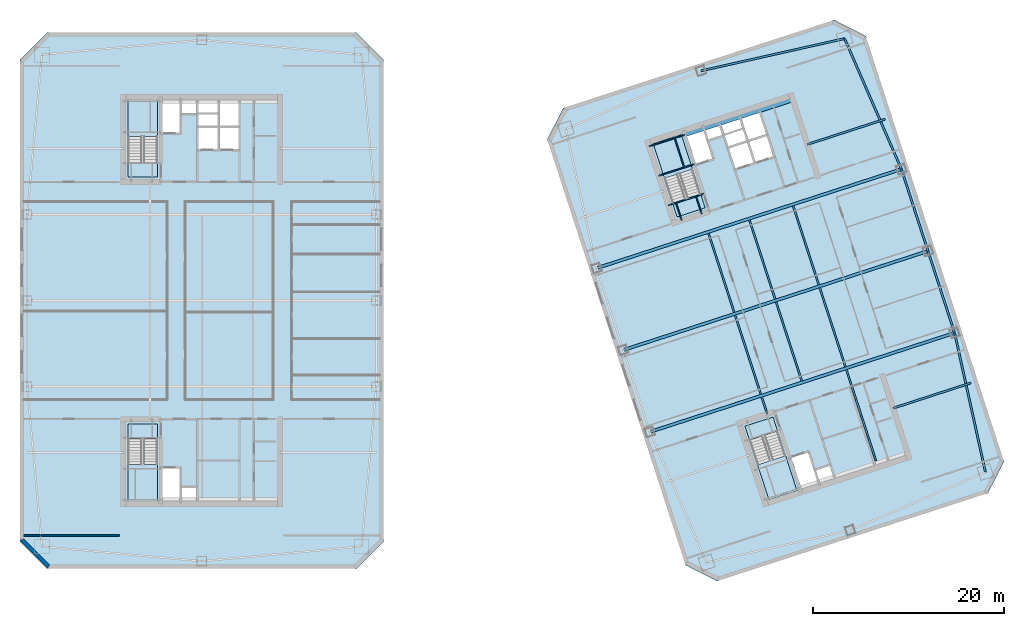
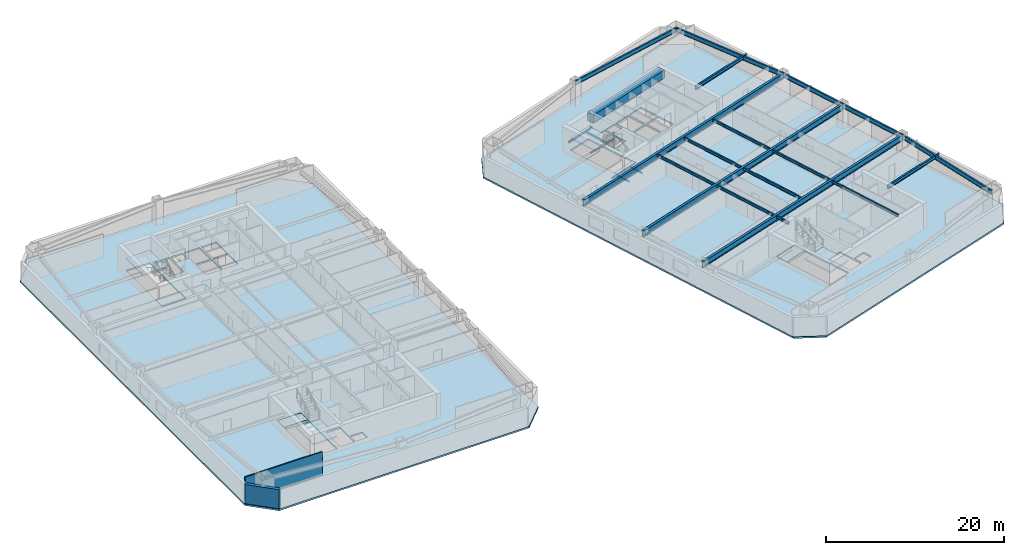
# One storey, part 2 of 10: 25 beams, 10 slabs, 2 walls, 4 elements without a shape of their own.
"""IFC4 building model written with IfcOpenShell, lengths in metres."""

from ifc_helpers import new_model, si_unit, direction, frame, frame_2d, origin, origin_2d, place, context, subcontext, project, spatial, polyline, rectangle, i_section, outline, extrude, material, layer, layer_set, material_profile, profile_set, type_object, element, aggregate, save


model = new_model("IFC4")

# Units and contexts
model_context = context("Model", 3, precision=1e-05, world=origin(), true_north=direction((0.0, 1.0)))
body_context = subcontext(model_context, "Body", "Model", "MODEL_VIEW")
ifc_project = project(units=[si_unit("LENGTHUNIT", "METRE"), si_unit("AREAUNIT", "SQUARE_METRE"), si_unit("VOLUMEUNIT", "CUBIC_METRE"), si_unit("PLANEANGLEUNIT", "RADIAN"), si_unit("MASSUNIT", "GRAM", prefix="KILO")], contexts=[model_context])

# Site, building, storey
site_placement = place(None, origin())
site = spatial("IfcSite", under=ifc_project, at=site_placement, CompositionType="ELEMENT")
building_placement = place(site_placement, origin())
building = spatial("IfcBuilding", under=site, at=building_placement, Name="Qiaolan Cultural Towers", CompositionType="ELEMENT")
storey_placement = place(building_placement, frame((0.0, 0.0, 127.64990234375)))
storey = spatial("IfcBuildingStorey", under=building, at=storey_placement, Name="L33", CompositionType="ELEMENT", Elevation=127.64990234375)

# Beams
ifc_material_1 = material(Name="Steel Q355B", Category="steel")
ifc_material_profile_1 = material_profile(ifc_material_1, i_section(OverallWidth=0.300048828125, OverallDepth=0.800048828125, WebThickness=0.013916015625, FlangeThickness=0.02587890625, at=origin_2d()), Name="HN800x300x14x26")
ifc_profile_set_1 = profile_set([ifc_material_profile_1], Name="Steel Q355B")
beam_type_1 = type_object("IfcBeamType", Name="BM-HN800x300x14x26", PredefinedType="BEAM", material=ifc_profile_set_1)
for number, where, z_axis, x_axis, name in (
    (1, (76.85107421875, 20.264404296875, 2.7900390625), (0.951056559899, 0.309016860175, 0.0), (-0.309016860175, 0.951056559899, 0.0), "L33 T2 Primary Transverse Girder V1"),
    (2, (74.06982421875, 28.823974609375, 2.7900390625), (0.951056559899, 0.309016860175, 0.0), (-0.309016860175, 0.951056559899, 0.0), "L33 T2 Primary Transverse Girder V2"),
    (3, (71.28857421875, 37.383544921875, 2.7900390625), (0.951056559899, 0.309016860175, 0.0), (-0.309016860175, 0.951056559899, 0.0), "L33 T2 Primary Transverse Girder V3"),
):
    element("IfcBeam", number, at=place(storey_placement, frame(where, z_axis=z_axis, x_axis=x_axis)), inside=storey, type_object=beam_type_1, Name=name, PredefinedType="BEAM", context=body_context, shape_type="SweptSolid", body=[
        extrude(i_section(OverallWidth=0.300048828125, OverallDepth=0.800048828125, WebThickness=0.013916015625, FlangeThickness=0.02587890625, at=origin_2d()), origin(), (0.0, 0.0, 1.0), 33.5),
    ])
ifc_material_2 = material(Name="Steel Q355B", Category="steel")
ifc_material_profile_2 = material_profile(ifc_material_2, i_section(OverallWidth=0.175048828125, OverallDepth=0.35009765625, WebThickness=0.007080078125, FlangeThickness=0.010986328125, at=origin_2d()), Name="HN350x175x7x11")
ifc_profile_set_2 = profile_set([ifc_material_profile_2], Name="Steel Q355B")
beam_type_2 = type_object("IfcBeamType", Name="BM-JST-HN350x175x7x11", PredefinedType="JOIST", material=ifc_profile_set_2)
beam_1_placement = place(storey_placement, frame((89.119384765625, 22.147705078125, 3.01513671875), z_axis=(-0.308933885266, 0.951083516067, 0.0), x_axis=(-0.951083516067, -0.308933885266, 0.0)))
element("IfcBeam", 4, at=beam_1_placement, inside=storey, type_object=beam_type_2, Name="L33 T2 Secondary Floor Joist U1-1", PredefinedType="JOIST", context=body_context, shape_type="SweptSolid", body=[
    extrude(i_section(OverallWidth=0.175048828125, OverallDepth=0.35009765625, WebThickness=0.007080078125, FlangeThickness=0.010986328125, at=origin_2d()), origin(), (0.0, 0.0, 1.0), 1.85009765625),
])
for number, where, z_axis, x_axis, name in (
    (5, (88.455078125, 24.192626953125, 3.01513671875), (-0.309020714809, 0.951055307445, 0.0), (-0.951055307445, -0.309020714809, 0.0), "L33 T2 Secondary Floor Joist U1-2"),
    (6, (85.673828125, 32.752197265625, 3.01513671875), (-0.309020714809, 0.951055307445, 0.0), (-0.951055307445, -0.309020714809, 0.0), "L33 T2 Secondary Floor Joist U1-3"),
    (7, (92.73486328125, 25.583251953125, 3.01513671875), (-0.309020714809, 0.951055307445, 0.0), (-0.951055307445, -0.309020714809, 0.0), "L33 T2 Secondary Floor Joist U2-2"),
    (8, (89.95361328125, 34.142578125, 3.01513671875), (-0.309020714809, 0.951055307445, 0.0), (-0.951055307445, -0.309020714809, 0.0), "L33 T2 Secondary Floor Joist U2-3"),
):
    element("IfcBeam", number, at=place(storey_placement, frame(where, z_axis=z_axis, x_axis=x_axis)), inside=storey, type_object=beam_type_2, Name=name, PredefinedType="JOIST", context=body_context, shape_type="SweptSolid", body=[
        extrude(i_section(OverallWidth=0.175048828125, OverallDepth=0.35009765625, WebThickness=0.007080078125, FlangeThickness=0.010986328125, at=origin_2d()), origin(), (0.0, 0.0, 1.0), 8.699951171875),
    ])
beam_2_placement = place(storey_placement, frame((100.498291015625, 17.222900390625, 3.01513671875), z_axis=(-0.309025649293, 0.951053704098, 0.0), x_axis=(-0.951053704098, -0.309025649293, 0.0)))
element("IfcBeam", 9, at=beam_2_placement, inside=storey, type_object=beam_type_2, Name="L33 T2 Secondary Floor Joist U3-1", PredefinedType="JOIST", context=body_context, shape_type="SweptSolid", body=[
    extrude(i_section(OverallWidth=0.175048828125, OverallDepth=0.35009765625, WebThickness=0.007080078125, FlangeThickness=0.010986328125, at=origin_2d()), origin(), (0.0, 0.0, 1.0), 10.050048828125),
])
for number, where, z_axis, x_axis, name in (
    (10, (97.2998046875, 27.06640625, 3.01513671875), (-0.309020714809, 0.951055307445, 0.0), (-0.951055307445, -0.309020714809, 0.0), "L33 T2 Secondary Floor Joist U3-2"),
    (11, (94.518798828125, 35.6259765625, 3.01513671875), (-0.309020714809, 0.951055307445, 0.0), (-0.951055307445, -0.309020714809, 0.0), "L33 T2 Secondary Floor Joist U3-3"),
):
    element("IfcBeam", number, at=place(storey_placement, frame(where, z_axis=z_axis, x_axis=x_axis)), inside=storey, type_object=beam_type_2, Name=name, PredefinedType="JOIST", context=body_context, shape_type="SweptSolid", body=[
        extrude(i_section(OverallWidth=0.175048828125, OverallDepth=0.35009765625, WebThickness=0.007080078125, FlangeThickness=0.010986328125, at=origin_2d()), origin(), (0.0, 0.0, 1.0), 8.699951171875),
    ])
ifc_material_3 = material(Name="Steel Q355B", Category="steel")
ifc_material_profile_3 = material_profile(ifc_material_3, i_section(OverallWidth=0.199951171875, OverallDepth=0.449951171875, WebThickness=0.009033203125, FlangeThickness=0.013916015625, at=origin_2d()), Name="HN450x200x9x14")
ifc_profile_set_3 = profile_set([ifc_material_profile_3], Name="Steel Q355B")
beam_type_3 = type_object("IfcBeamType", Name="BM-LNT-HN450x200x9x14", PredefinedType="LINTEL", material=ifc_profile_set_3)
for number, where, z_axis, x_axis, name in (
    (12, (102.279296875, 22.74365234375, 2.965087890625), (0.951057358187, 0.309014403287, 0.0), (-0.309014403287, 0.951057358187, 0.0), "L33 T2 Core Flank Tie Lintel ES"),
    (13, (93.31787109375, 50.32421875, 2.965087890625), (0.951057358187, 0.309014403287, 0.0), (-0.309014403287, 0.951057358187, 0.0), "L33 T2 Core Flank Tie Lintel EN"),
):
    element("IfcBeam", number, at=place(storey_placement, frame(where, z_axis=z_axis, x_axis=x_axis)), inside=storey, type_object=beam_type_3, Name=name, PredefinedType="LINTEL", context=body_context, shape_type="SweptSolid", body=[
        extrude(i_section(OverallWidth=0.199951171875, OverallDepth=0.449951171875, WebThickness=0.009033203125, FlangeThickness=0.013916015625, at=origin_2d()), origin(), (0.0, 0.0, 1.0), 8.550048828125),
    ])
ifc_material_4 = material(Name="Concrete C50", Category="concrete")
ifc_material_profile_4 = material_profile(ifc_material_4, rectangle(XDim=0.89990234375, YDim=1.10009765625, at=origin_2d()), Name="RC900x1100")
ifc_profile_set_4 = profile_set([ifc_material_profile_4], Name="Concrete C50")
beam_type_4 = type_object("IfcBeamType", Name="BM-RC900x1100", PredefinedType="BEAM", material=ifc_profile_set_4)
beam_3_placement = place(storey_placement, frame((80.427978515625, 51.551025390625, 2.64013671875), z_axis=(0.951056266386, 0.309017763514, 0.0), x_axis=(-0.309017763514, 0.951056266386, 0.0)))
element("IfcBeam", 14, at=beam_3_placement, inside=storey, type_object=beam_type_4, Name="L33 T2 Core Header Girder N", PredefinedType="BEAM", context=body_context, shape_type="SweptSolid", body=[
    extrude(rectangle(XDim=0.89990234375, YDim=1.10009765625, at=origin_2d()), origin(), (0.0, 0.0, 1.0), 11.880126953125),
])
ifc_material_5 = material(Name="Steel Q355B", Category="steel")
ifc_material_profile_5 = material_profile(ifc_material_5, i_section(OverallWidth=0.199951171875, OverallDepth=0.60009765625, WebThickness=0.010986328125, FlangeThickness=0.01708984375, at=origin_2d()), Name="HN600x200x11x17")
ifc_profile_set_5 = profile_set([ifc_material_profile_5], Name="Steel Q355B")
beam_type_5 = type_object("IfcBeamType", Name="BM-SPD-HN600x200x11x17", PredefinedType="SPANDREL", material=ifc_profile_set_5)
beam_4_placement = place(storey_placement, frame((111.930908203125, 16.080078125, 2.89013671875), z_axis=(-0.216237644833, 0.976340760676, 0.0), x_axis=(-0.976340760676, -0.216237644833, 0.0)))
element("IfcBeam", 15, at=beam_4_placement, inside=storey, type_object=beam_type_5, Name="L33 T2 Perimeter Spandrel Beam 3", PredefinedType="SPANDREL", context=body_context, shape_type="SweptSolid", body=[
    extrude(i_section(OverallWidth=0.199951171875, OverallDepth=0.60009765625, WebThickness=0.010986328125, FlangeThickness=0.01708984375, at=origin_2d()), origin(), (0.0, 0.0, 1.0), 14.888671875),
])
for number, where, z_axis, x_axis, name in (
    (16, (108.71142578125, 30.616455078125, 2.89013671875), (-0.309024734286, 0.951054001411, 0.0), (-0.951054001411, -0.309024734286, 0.0), "L33 T2 Perimeter Spandrel Beam 4"),
    (17, (105.93017578125, 39.176025390625, 2.89013671875), (-0.309024734286, 0.951054001411, 0.0), (-0.951054001411, -0.309024734286, 0.0), "L33 T2 Perimeter Spandrel Beam 5"),
):
    element("IfcBeam", number, at=place(storey_placement, frame(where, z_axis=z_axis, x_axis=x_axis)), inside=storey, type_object=beam_type_5, Name=name, PredefinedType="SPANDREL", context=body_context, shape_type="SweptSolid", body=[
        extrude(i_section(OverallWidth=0.199951171875, OverallDepth=0.60009765625, WebThickness=0.010986328125, FlangeThickness=0.01708984375, at=origin_2d()), origin(), (0.0, 0.0, 1.0), 9.0),
    ])
beam_5_placement = place(storey_placement, frame((103.14892578125, 47.735595703125, 2.89013671875), z_axis=(-0.398920370799, 0.916985571185, 0.0), x_axis=(-0.916985571185, -0.398920370799, 0.0)))
element("IfcBeam", 18, at=beam_5_placement, inside=storey, type_object=beam_type_5, Name="L33 T2 Perimeter Spandrel Beam 6", PredefinedType="SPANDREL", context=body_context, shape_type="SweptSolid", body=[
    extrude(i_section(OverallWidth=0.199951171875, OverallDepth=0.60009765625, WebThickness=0.010986328125, FlangeThickness=0.01708984375, at=origin_2d()), origin(), (0.0, 0.0, 1.0), 14.888916015625),
])
beam_6_placement = place(storey_placement, frame((97.20947265625, 61.388427734375, 2.89013671875), z_axis=(-0.975658154374, -0.219296980836, 0.0), x_axis=(0.219296980836, -0.975658154374, 0.0)))
element("IfcBeam", 19, at=beam_6_placement, inside=storey, type_object=beam_type_5, Name="L33 T2 Perimeter Spandrel Beam 7", PredefinedType="SPANDREL", context=body_context, shape_type="SweptSolid", body=[
    extrude(i_section(OverallWidth=0.199951171875, OverallDepth=0.60009765625, WebThickness=0.010986328125, FlangeThickness=0.01708984375, at=origin_2d()), origin(), (0.0, 0.0, 1.0), 15.38671875),
])
ifc_material_6 = material(Name="Steel Q355B", Category="steel")
ifc_material_profile_6 = material_profile(ifc_material_6, i_section(OverallWidth=0.10009765625, OverallDepth=0.199951171875, WebThickness=0.005615234375, FlangeThickness=0.008056640625, at=origin_2d()), Name="HN200x100x5.5x8")
ifc_profile_set_6 = profile_set([ifc_material_profile_6], Name="Steel Q355B")
beam_type_6 = type_object("IfcBeamType", Name="BM-STTRIM-200", PredefinedType="BEAM", material=ifc_profile_set_6)
beam_7_placement = place(storey_placement, frame((78.773193359375, 43.958251953125, -0.4599609375), z_axis=(0.951072048947, 0.3089691857, 0.0), x_axis=(-0.3089691857, 0.951072048947, 0.0)))
element("IfcBeam", 20, at=beam_7_placement, inside=storey, type_object=beam_type_6, Name="L33 ST-E2 Floor Landing Header Beam", PredefinedType="BEAM", context=body_context, shape_type="SweptSolid", body=[
    extrude(i_section(OverallWidth=0.10009765625, OverallDepth=0.199951171875, WebThickness=0.005615234375, FlangeThickness=0.008056640625, at=origin_2d()), origin(), (0.0, 0.0, 1.0), 3.920166015625),
])
for number, where, z_axis, x_axis, name in (
    (21, (80.18115234375, 42.375732421875, -0.4599609375), (-0.308969394428, 0.951071981138, 0.0), (-0.951071981138, -0.308969394428, 0.0), "L33 ST-E2 Floor Landing Stringer 1"),
    (22, (82.2734375, 43.0556640625, -0.4599609375), (-0.308969394428, 0.951071981138, 0.0), (-0.951071981138, -0.308969394428, 0.0), "L33 ST-E2 Floor Landing Stringer 2"),
):
    element("IfcBeam", number, at=place(storey_placement, frame(where, z_axis=z_axis, x_axis=x_axis)), inside=storey, type_object=beam_type_6, Name=name, PredefinedType="BEAM", context=body_context, shape_type="SweptSolid", body=[
        extrude(i_section(OverallWidth=0.10009765625, OverallDepth=0.199951171875, WebThickness=0.005615234375, FlangeThickness=0.008056640625, at=origin_2d()), origin(), (0.0, 0.0, 1.0), 1.93994140625),
    ])
for number, where, z_axis, x_axis, name in (
    (23, (77.769287109375, 47.0478515625, 1.425048828125), (0.951053746643, 0.309025518358, 0.0), (-0.309025518358, 0.951053746643, 0.0), "L33 ST-E2 Stair Landing Support Beam 1-1"),
    (24, (76.770751953125, 50.12109375, 1.425048828125), (0.951072048947, 0.3089691857, 0.0), (-0.3089691857, 0.951072048947, 0.0), "L33 ST-E2 Stair Landing Support Beam 1-2"),
):
    element("IfcBeam", number, at=place(storey_placement, frame(where, z_axis=z_axis, x_axis=x_axis)), inside=storey, type_object=beam_type_6, Name=name, PredefinedType="BEAM", context=body_context, shape_type="SweptSolid", body=[
        extrude(i_section(OverallWidth=0.10009765625, OverallDepth=0.199951171875, WebThickness=0.005615234375, FlangeThickness=0.008056640625, at=origin_2d()), origin(), (0.0, 0.0, 1.0), 3.920166015625),
    ])
beam_8_placement = place(storey_placement, frame((80.44189453125, 47.916259765625, 1.425048828125), z_axis=(-0.309033108495, 0.951051280349, 0.0), x_axis=(-0.951051280349, -0.309033108495, 0.0)))
element("IfcBeam", 25, at=beam_8_placement, inside=storey, type_object=beam_type_6, Name="L33 ST-E2 Stair Landing Trimmer 1", PredefinedType="BEAM", context=body_context, shape_type="SweptSolid", body=[
    extrude(i_section(OverallWidth=0.10009765625, OverallDepth=0.199951171875, WebThickness=0.005615234375, FlangeThickness=0.008056640625, at=origin_2d()), origin(), (0.0, 0.0, 1.0), 3.231201171875),
])

# Stair, slab
ifc_material_7 = material(Name="Concrete C45", Category="concrete")
stair_type = type_object("IfcStairType", Name="STR-CORE-1500", PredefinedType="HALF_TURN_STAIR", material=ifc_material_7)
stair_1_placement = place(storey_placement, origin())
stair_1 = element("IfcStair", 26, at=stair_1_placement, inside=storey, type_object=stair_type, Name="L33 Smokeproof Exit Stair ST-W1", PredefinedType="HALF_TURN_STAIR")
ifc_material_8 = material(Name="Concrete C45", Category="concrete")
ifc_layer_1 = layer(ifc_material_8, 0.199951171875)
ifc_layer_set_1 = layer_set([ifc_layer_1], Name="Concrete C45")
slab_type_1 = type_object("IfcSlabType", Name="SL-STAIR-LAND", PredefinedType="LANDING", material=ifc_layer_set_1)
slab_1_placement = place(storey_placement, frame((0.0, 0.0, 1.525146484375)))
slab_1 = element("IfcSlab", 27, at=slab_1_placement, type_object=slab_type_1, Name="ST-W1 landing 1", PredefinedType="LANDING", context=body_context, shape_type="SweptSolid", body=[
    extrude(outline(polyline([(22.300048828125, 16.851318359375), (22.300048828125, 13.0), (25.3798828125, 13.0), (25.3798828125, 16.851318359375), (22.300048828125, 16.851318359375)])), origin(), (0.0, 0.0, 1.0), 0.199951171875),
])
aggregate(stair_1, [slab_1])

stair_2_placement = place(storey_placement, origin())
stair_2 = element("IfcStair", 28, at=stair_2_placement, inside=storey, type_object=stair_type, Name="L33 Smokeproof Exit Stair ST-W2", PredefinedType="HALF_TURN_STAIR")
slab_2_placement = place(storey_placement, frame((0.0, 0.0, 1.525146484375)))
slab_2 = element("IfcSlab", 29, at=slab_2_placement, type_object=slab_type_1, Name="ST-W2 landing 1", PredefinedType="LANDING", context=body_context, shape_type="SweptSolid", body=[
    extrude(outline(polyline([(25.3798828125, 51.148681640625), (25.3798828125, 55.0), (22.300048828125, 55.0), (22.300048828125, 51.148681640625), (25.3798828125, 51.148681640625)])), origin(), (0.0, 0.0, 1.0), 0.199951171875),
])
aggregate(stair_2, [slab_2])

stair_3_placement = place(storey_placement, origin())
stair_3 = element("IfcStair", 30, at=stair_3_placement, inside=storey, type_object=stair_type, Name="L33 Smokeproof Exit Stair ST-E1", PredefinedType="HALF_TURN_STAIR")
slab_3_placement = place(storey_placement, frame((0.0, 0.0, 1.525146484375)))
slab_3 = element("IfcSlab", 31, at=slab_3_placement, type_object=slab_type_1, Name="ST-E1 landing 1", PredefinedType="LANDING", context=body_context, shape_type="SweptSolid", body=[
    extrude(outline(polyline([(88.114013671875, 16.828125), (89.30419921875, 13.165283203125), (92.2333984375, 14.116943359375), (91.04345703125, 17.77978515625), (88.114013671875, 16.828125)])), origin(), (0.0, 0.0, 1.0), 0.199951171875),
])
aggregate(stair_3, [slab_3])

stair_4_placement = place(storey_placement, origin())
stair_4 = element("IfcStair", 32, at=stair_4_placement, inside=storey, type_object=stair_type, Name="L33 Smokeproof Exit Stair ST-E2", PredefinedType="HALF_TURN_STAIR")
slab_4_placement = place(storey_placement, frame((0.0, 0.0, 1.525146484375)))
slab_4 = element("IfcSlab", 33, at=slab_4_placement, type_object=slab_type_1, Name="ST-E2 landing 1", PredefinedType="LANDING", context=body_context, shape_type="SweptSolid", body=[
    extrude(outline(polyline([(81.31005859375, 47.735595703125), (80.1201171875, 51.3984375), (77.190673828125, 50.44677734375), (78.380859375, 46.783935546875), (81.31005859375, 47.735595703125)])), origin(), (0.0, 0.0, 1.0), 0.199951171875),
])
aggregate(stair_4, [slab_4])

# Slabs
ifc_material_9 = material(Name="Concrete C40", Category="concrete")
ifc_layer_2 = layer(ifc_material_9, 0.360107421875)
ifc_layer_set_2 = layer_set([ifc_layer_2], Name="Concrete C40")
slab_type_2 = type_object("IfcSlabType", Name="SL-STFLR-360", PredefinedType="LANDING", material=ifc_layer_set_2)
slab_5_placement = place(storey_placement, frame((0.0, 0.0, -0.35986328125)))
element("IfcSlab", 34, at=slab_5_placement, inside=storey, type_object=slab_type_2, Name="L33 ST-W1 Stair Floor Landing Slab", PredefinedType="LANDING", context=body_context, shape_type="SweptSolid", body=[
    extrude(outline(polyline([(22.302001953125, 21.097900390625), (22.302001953125, 19.548583984375), (25.3779296875, 19.548583984375), (25.3779296875, 21.097900390625), (22.302001953125, 21.097900390625)])), origin(), (0.0, 0.0, 1.0), 0.35986328125),
])
slab_6_placement = place(storey_placement, frame((0.0, 0.0, -0.35986328125)))
element("IfcSlab", 35, at=slab_6_placement, inside=storey, type_object=slab_type_2, Name="L33 ST-W2 Stair Floor Landing Slab", PredefinedType="LANDING", context=body_context, shape_type="SweptSolid", body=[
    extrude(outline(polyline([(25.3779296875, 46.902099609375), (25.3779296875, 48.451416015625), (22.302001953125, 48.451416015625), (22.302001953125, 46.902099609375), (25.3779296875, 46.902099609375)])), origin(), (0.0, 0.0, 1.0), 0.35986328125),
])
slab_7_placement = place(storey_placement, frame((0.0, 0.0, -0.35986328125)))
element("IfcSlab", 36, at=slab_7_placement, inside=storey, type_object=slab_type_2, Name="L33 ST-E1 Stair Floor Landing Slab", PredefinedType="LANDING", context=body_context, shape_type="SweptSolid", body=[
    extrude(outline(polyline([(86.8037109375, 20.867431640625), (87.282470703125, 19.39404296875), (90.2080078125, 20.3447265625), (89.729248046875, 21.818115234375), (86.8037109375, 20.867431640625)])), origin(), (0.0, 0.0, 1.0), 0.35986328125),
])
slab_8_placement = place(storey_placement, frame((0.0, 0.0, -0.35986328125)))
element("IfcSlab", 37, at=slab_8_placement, inside=storey, type_object=slab_type_2, Name="L33 ST-E2 Stair Floor Landing Slab", PredefinedType="LANDING", context=body_context, shape_type="SweptSolid", body=[
    extrude(outline(polyline([(82.62060546875, 43.6962890625), (82.141845703125, 45.169677734375), (79.21630859375, 44.21923828125), (79.695068359375, 42.74560546875), (82.62060546875, 43.6962890625)])), origin(), (0.0, 0.0, 1.0), 0.35986328125),
])
ifc_material_10 = material(Name="Concrete C45", Category="concrete")
ifc_layer_3 = layer(ifc_material_10, 0.219970703125)
ifc_layer_set_3 = layer_set([ifc_layer_3], Name="Concrete C45")
slab_type_3 = type_object("IfcSlabType", Name="SL-TYP-220", PredefinedType="FLOOR", material=ifc_layer_set_3)
slab_9_placement = place(storey_placement, frame((0.0, 0.0, -0.219970703125)))
element("IfcSlab", 38, at=slab_9_placement, inside=storey, type_object=slab_type_3, Name="L33 West Tower Floor Slab", PredefinedType="FLOOR", context=body_context, shape_type="SweptSolid", body=[
    extrude(outline(polyline([(13.800048828125, 6.0), (46.199951171875, 6.0), (49.0, 8.800048828125), (49.0, 59.199951171875), (46.199951171875, 62.0), (13.800048828125, 62.0), (11.0, 59.199951171875), (11.0, 8.800048828125), (13.800048828125, 6.0)]), holes=[polyline([(22.300048828125, 21.10009765625), (22.300048828125, 13.0), (25.3798828125, 13.0), (25.3798828125, 21.10009765625), (22.300048828125, 21.10009765625)]), polyline([(25.3798828125, 46.89990234375), (25.3798828125, 55.0), (22.300048828125, 55.0), (22.300048828125, 46.89990234375), (25.3798828125, 46.89990234375)]), polyline([(25.89990234375, 13.199951171875), (27.75, 13.199951171875), (27.75, 16.449951171875), (25.89990234375, 16.449951171875), (25.89990234375, 13.199951171875)]), polyline([(27.93994140625, 13.25), (29.449951171875, 13.25), (29.449951171875, 14.419921875), (27.93994140625, 14.419921875), (27.93994140625, 13.25)]), polyline([(25.89990234375, 51.550048828125), (27.75, 51.550048828125), (27.75, 54.800048828125), (25.89990234375, 54.800048828125), (25.89990234375, 51.550048828125)]), polyline([(27.93994140625, 53.580078125), (29.449951171875, 53.580078125), (29.449951171875, 54.75), (27.93994140625, 54.75), (27.93994140625, 53.580078125)]), polyline([(29.679931640625, 49.820068359375), (31.679931640625, 49.820068359375), (31.679931640625, 52.080078125), (29.679931640625, 52.080078125), (29.679931640625, 49.820068359375)]), polyline([(31.8798828125, 49.820068359375), (33.820068359375, 49.820068359375), (33.820068359375, 52.080078125), (31.8798828125, 52.080078125), (31.8798828125, 49.820068359375)]), polyline([(29.679931640625, 52.27001953125), (31.659912109375, 52.27001953125), (31.659912109375, 54.75), (29.679931640625, 54.75), (29.679931640625, 52.27001953125)]), polyline([(31.8798828125, 52.27001953125), (33.820068359375, 52.27001953125), (33.820068359375, 54.75), (31.8798828125, 54.75), (31.8798828125, 52.27001953125)])]), origin(), (0.0, 0.0, 1.0), 0.219970703125),
])
slab_10_placement = place(storey_placement, frame((0.0, 0.0, -0.219970703125)))
element("IfcSlab", 39, at=slab_10_placement, inside=storey, type_object=slab_type_3, Name="L33 East Tower Floor Slab", PredefinedType="FLOOR", context=body_context, shape_type="SweptSolid", body=[
    extrude(outline(polyline([(83.86376953125, 4.668212890625), (112.205078125, 13.876953125), (113.87451171875, 17.153076171875), (99.41259765625, 61.66259765625), (96.13623046875, 63.331787109375), (67.794921875, 54.123046875), (66.12548828125, 50.846923828125), (80.58740234375, 6.33740234375), (83.86376953125, 4.668212890625)]), holes=[polyline([(86.80126953125, 20.868896484375), (89.30419921875, 13.165283203125), (92.2333984375, 14.116943359375), (89.73046875, 21.820556640625), (86.80126953125, 20.868896484375)]), polyline([(82.623046875, 43.69482421875), (80.1201171875, 51.3984375), (77.190673828125, 50.44677734375), (79.69384765625, 42.7431640625), (82.623046875, 43.69482421875)]), polyline([(92.666259765625, 14.468017578125), (94.42578125, 15.03955078125), (93.42138671875, 18.130615234375), (91.661865234375, 17.558837890625), (92.666259765625, 14.468017578125)]), polyline([(94.5908203125, 15.14599609375), (96.027099609375, 15.612548828125), (95.66552734375, 16.725341796875), (94.2294921875, 16.258544921875), (94.5908203125, 15.14599609375)]), polyline([(81.6806640625, 48.278076171875), (83.440185546875, 48.849609375), (82.435791015625, 51.940673828125), (80.67626953125, 51.368896484375), (81.6806640625, 48.278076171875)]), polyline([(82.993408203125, 50.839111328125), (84.4296875, 51.3056640625), (84.068115234375, 52.41845703125), (82.632080078125, 51.95166015625), (82.993408203125, 50.839111328125)]), polyline([(85.810302734375, 47.80078125), (87.71240234375, 48.418701171875), (87.013916015625, 50.568115234375), (85.11181640625, 49.9501953125), (85.810302734375, 47.80078125)]), polyline([(87.902587890625, 48.480712890625), (89.74755859375, 49.080078125), (89.04931640625, 51.2294921875), (87.2041015625, 50.6298828125), (87.902587890625, 48.480712890625)]), polyline([(85.05322265625, 50.130859375), (86.936279296875, 50.74267578125), (86.169921875, 53.101318359375), (84.286865234375, 52.489501953125), (85.05322265625, 50.130859375)]), polyline([(87.1455078125, 50.810791015625), (88.990478515625, 51.41015625), (88.22412109375, 53.768798828125), (86.379150390625, 53.169189453125), (87.1455078125, 50.810791015625)])]), origin(), (0.0, 0.0, 1.0), 0.219970703125),
])

# Walls
ifc_material_11 = material(Name="Precast Concrete C50 Honed Stone Pier", Category="masonry")
ifc_layer_4 = layer(ifc_material_11, 0.39990234375)
ifc_layer_set_4 = layer_set([ifc_layer_4], Name="Precast Concrete C50 Honed Stone Pier")
wall_type_1 = type_object("IfcWallType", Name="WL-EXT-PIER-400", PredefinedType="SOLIDWALL", material=ifc_layer_set_4)
wall_1_placement = place(storey_placement, frame((14.0, 6.199951171875, 0.0), z_axis=(0.0, 0.0, 1.0), x_axis=(-0.707106781187, 0.707106781187, 0.0)))
element("IfcWall", 40, at=wall_1_placement, inside=storey, type_object=wall_type_1, Name="L33 West Tower Precast Pier Facade Wall F8", PredefinedType="SOLIDWALL", context=body_context, shape_type="SweptSolid", body=[
    extrude(rectangle(XDim=3.9599609375, YDim=0.39990234375, at=frame_2d((1.97998046875, 0.0))), origin(), (0.0, 0.0, 1.0), 2.610107421875),
])
ifc_material_12 = material(Name="Autoclaved Aerated Concrete Block B06", Category="concrete")
ifc_layer_5 = layer(ifc_material_12, 0.14990234375)
ifc_layer_set_5 = layer_set([ifc_layer_5], Name="Autoclaved Aerated Concrete Block B06")
wall_type_2 = type_object("IfcWallType", Name="WL-PART-150", PredefinedType="PARTITIONING", material=ifc_layer_set_5)
wall_2_placement = place(storey_placement, frame((11.39990234375, 9.449951171875, 0.0), z_axis=(0.0, 0.0, 1.0), x_axis=(1.0, 0.0, 0.0)))
element("IfcWall", 41, at=wall_2_placement, inside=storey, type_object=wall_type_2, Name="L33 T1 Flank Wall FLK-SW", PredefinedType="PARTITIONING", context=body_context, shape_type="SweptSolid", body=[
    extrude(rectangle(XDim=10.0, YDim=0.14990234375, at=frame_2d((5.0, 0.0))), origin(), (0.0, 0.0, 1.0), 3.175048828125),
])

save(model, "model.ifc")
